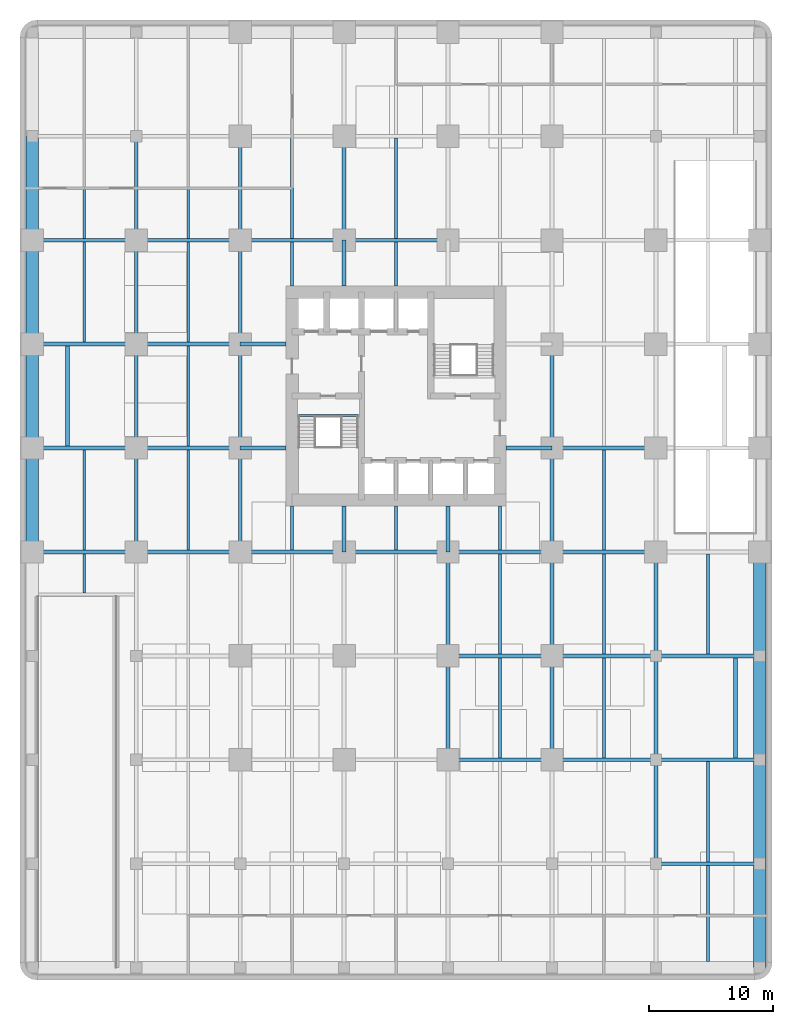
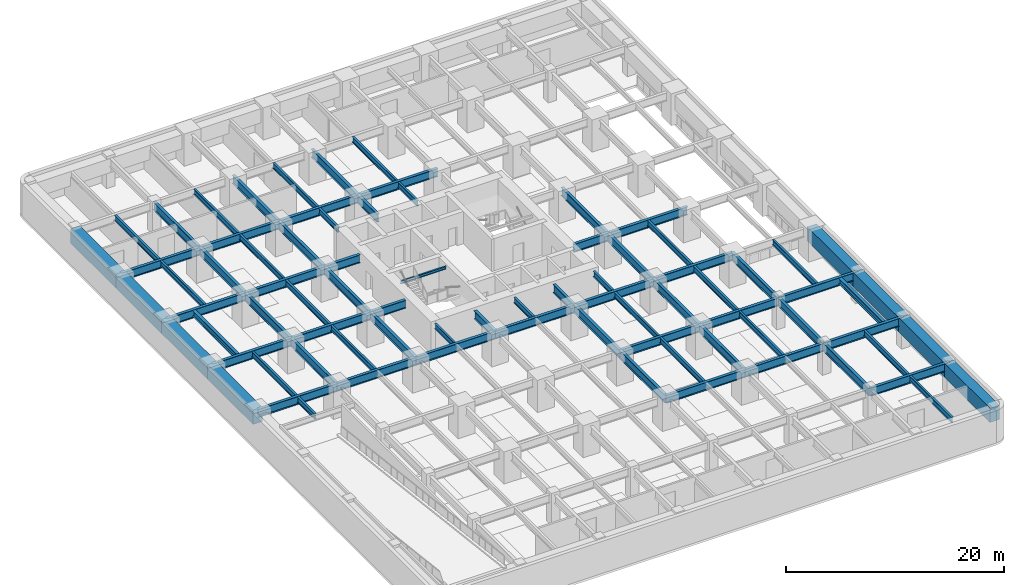
# One storey, part 2 of 9: 80 beams.
"""IFC4 building model written with IfcOpenShell, lengths in metres."""

from ifc_helpers import new_model, si_unit, direction, frame, origin, origin_2d, place, context, subcontext, project, spatial, rectangle, i_section, extrude, material, material_profile, profile_set, type_object, element, save


model = new_model("IFC4")

# Units and contexts
model_context = context("Model", 3, precision=1e-05, world=origin(), true_north=direction((0.0, 1.0)))
body_context = subcontext(model_context, "Body", "Model", "MODEL_VIEW")
ifc_project = project(units=[si_unit("LENGTHUNIT", "METRE"), si_unit("AREAUNIT", "SQUARE_METRE"), si_unit("VOLUMEUNIT", "CUBIC_METRE"), si_unit("PLANEANGLEUNIT", "RADIAN"), si_unit("MASSUNIT", "GRAM", prefix="KILO")], contexts=[model_context])

# Site, building, storey
site_placement = place(None, origin())
site = spatial("IfcSite", under=ifc_project, at=site_placement, CompositionType="ELEMENT")
building_placement = place(site_placement, origin())
building = spatial("IfcBuilding", under=site, at=building_placement, Name="Torre Alcanfor", CompositionType="ELEMENT")
storey_placement = place(building_placement, frame((0.0, 0.0, -3.60009765625)))
storey = spatial("IfcBuildingStorey", under=building, at=storey_placement, Name="B1", CompositionType="ELEMENT", Elevation=-3.60009765625)

# Beams
ifc_material_1 = material(Name="Steel ASTM A992 Grade 50", Category="steel")
ifc_material_profile_1 = material_profile(ifc_material_1, i_section(OverallWidth=0.3046875, OverallDepth=0.911865234375, WebThickness=0.015869140625, FlangeThickness=0.02392578125, at=origin_2d()), Name="W36x150")
ifc_profile_set_1 = profile_set([ifc_material_profile_1], Name="Steel ASTM A992 Grade 50")
beam_type_1 = type_object("IfcBeamType", Name="Girder W36x150", PredefinedType="BEAM", material=ifc_profile_set_1)
beam_1_placement = place(storey_placement, frame((50.39990234375, -8.39990234375, 2.84423828125), z_axis=(1.0, 0.0, 0.0), x_axis=(0.0, 1.0, 0.0)))
element("IfcBeam", 1, at=beam_1_placement, inside=storey, type_object=beam_type_1, Name="Beam 7B-8B under L00", PredefinedType="BEAM", context=body_context, shape_type="SweptSolid", body=[
    extrude(i_section(OverallWidth=0.3046875, OverallDepth=0.911865234375, WebThickness=0.015869140625, FlangeThickness=0.02392578125, at=origin_2d()), origin(), (0.0, 0.0, 1.0), 8.400146484375),
])
for number, where, z_axis, x_axis, name in (
    (2, (33.60009765625, 0.0, 2.84423828125), (1.0, 0.0, 0.0), (0.0, 1.0, 0.0), "Beam 5C-6C under L00"),
    (3, (42.0, 0.0, 2.84423828125), (1.0, 0.0, 0.0), (0.0, 1.0, 0.0), "Beam 6C-7C under L00"),
):
    element("IfcBeam", number, at=place(storey_placement, frame(where, z_axis=z_axis, x_axis=x_axis)), inside=storey, type_object=beam_type_1, Name=name, PredefinedType="BEAM", context=body_context, shape_type="SweptSolid", body=[
        extrude(i_section(OverallWidth=0.3046875, OverallDepth=0.911865234375, WebThickness=0.015869140625, FlangeThickness=0.02392578125, at=origin_2d()), origin(), (0.0, 0.0, 1.0), 8.39990234375),
    ])
beam_2_placement = place(storey_placement, frame((50.39990234375, 0.0, 2.84423828125), z_axis=(1.0, 0.0, 0.0), x_axis=(0.0, 1.0, 0.0)))
element("IfcBeam", 4, at=beam_2_placement, inside=storey, type_object=beam_type_1, Name="Beam 7C-8C under L00", PredefinedType="BEAM", context=body_context, shape_type="SweptSolid", body=[
    extrude(i_section(OverallWidth=0.3046875, OverallDepth=0.911865234375, WebThickness=0.015869140625, FlangeThickness=0.02392578125, at=origin_2d()), origin(), (0.0, 0.0, 1.0), 8.400146484375),
])
for number, where, z_axis, x_axis, name in (
    (5, (33.60009765625, 8.39990234375, 2.84423828125), (1.0, 0.0, 0.0), (0.0, 1.0, 0.0), "Beam 5D-6D under L00"),
    (6, (42.0, 8.39990234375, 2.84423828125), (1.0, 0.0, 0.0), (0.0, 1.0, 0.0), "Beam 6D-7D under L00"),
):
    element("IfcBeam", number, at=place(storey_placement, frame(where, z_axis=z_axis, x_axis=x_axis)), inside=storey, type_object=beam_type_1, Name=name, PredefinedType="BEAM", context=body_context, shape_type="SweptSolid", body=[
        extrude(i_section(OverallWidth=0.3046875, OverallDepth=0.911865234375, WebThickness=0.015869140625, FlangeThickness=0.02392578125, at=origin_2d()), origin(), (0.0, 0.0, 1.0), 8.39990234375),
    ])
beam_3_placement = place(storey_placement, frame((50.39990234375, 8.39990234375, 2.84423828125), z_axis=(1.0, 0.0, 0.0), x_axis=(0.0, 1.0, 0.0)))
element("IfcBeam", 7, at=beam_3_placement, inside=storey, type_object=beam_type_1, Name="Beam 7D-8D under L00", PredefinedType="BEAM", context=body_context, shape_type="SweptSolid", body=[
    extrude(i_section(OverallWidth=0.3046875, OverallDepth=0.911865234375, WebThickness=0.015869140625, FlangeThickness=0.02392578125, at=origin_2d()), origin(), (0.0, 0.0, 1.0), 8.400146484375),
])
beam_4_placement = place(storey_placement, frame((0.0, 16.800048828125, 2.84423828125), z_axis=(1.0, 0.0, 0.0), x_axis=(0.0, 1.0, 0.0)))
element("IfcBeam", 8, at=beam_4_placement, inside=storey, type_object=beam_type_1, Name="Beam 1E-2E under L00", PredefinedType="BEAM", context=body_context, shape_type="SweptSolid", body=[
    extrude(i_section(OverallWidth=0.3046875, OverallDepth=0.911865234375, WebThickness=0.015869140625, FlangeThickness=0.02392578125, at=origin_2d()), origin(), (0.0, 0.0, 1.0), 8.39990234375),
])
beam_5_placement = place(storey_placement, frame((8.39990234375, 16.800048828125, 2.84423828125), z_axis=(1.0, 0.0, 0.0), x_axis=(0.0, 1.0, 0.0)))
element("IfcBeam", 9, at=beam_5_placement, inside=storey, type_object=beam_type_1, Name="Beam 2E-3E under L00", PredefinedType="BEAM", context=body_context, shape_type="SweptSolid", body=[
    extrude(i_section(OverallWidth=0.3046875, OverallDepth=0.911865234375, WebThickness=0.015869140625, FlangeThickness=0.02392578125, at=origin_2d()), origin(), (0.0, 0.0, 1.0), 8.400146484375),
])
beam_6_placement = place(storey_placement, frame((16.800048828125, 16.800048828125, 2.84423828125), z_axis=(1.0, 0.0, 0.0), x_axis=(0.0, 1.0, 0.0)))
element("IfcBeam", 10, at=beam_6_placement, inside=storey, type_object=beam_type_1, Name="Beam 3E-4E under L00", PredefinedType="BEAM", context=body_context, shape_type="SweptSolid", body=[
    extrude(i_section(OverallWidth=0.3046875, OverallDepth=0.911865234375, WebThickness=0.015869140625, FlangeThickness=0.02392578125, at=origin_2d()), origin(), (0.0, 0.0, 1.0), 8.39990234375),
])
beam_7_placement = place(storey_placement, frame((25.199951171875, 16.800048828125, 2.84423828125), z_axis=(1.0, 0.0, 0.0), x_axis=(0.0, 1.0, 0.0)))
element("IfcBeam", 11, at=beam_7_placement, inside=storey, type_object=beam_type_1, Name="Beam 4E-5E under L00", PredefinedType="BEAM", context=body_context, shape_type="SweptSolid", body=[
    extrude(i_section(OverallWidth=0.3046875, OverallDepth=0.911865234375, WebThickness=0.015869140625, FlangeThickness=0.02392578125, at=origin_2d()), origin(), (0.0, 0.0, 1.0), 8.400146484375),
])
for number, where, z_axis, x_axis, name in (
    (12, (33.60009765625, 16.800048828125, 2.84423828125), (1.0, 0.0, 0.0), (0.0, 1.0, 0.0), "Beam 5E-6E under L00"),
    (13, (42.0, 16.800048828125, 2.84423828125), (1.0, 0.0, 0.0), (0.0, 1.0, 0.0), "Beam 6E-7E under L00"),
    (14, (0.0, 25.199951171875, 2.84423828125), (1.0, 0.0, 0.0), (0.0, 1.0, 0.0), "Beam 1F-2F under L00"),
):
    element("IfcBeam", number, at=place(storey_placement, frame(where, z_axis=z_axis, x_axis=x_axis)), inside=storey, type_object=beam_type_1, Name=name, PredefinedType="BEAM", context=body_context, shape_type="SweptSolid", body=[
        extrude(i_section(OverallWidth=0.3046875, OverallDepth=0.911865234375, WebThickness=0.015869140625, FlangeThickness=0.02392578125, at=origin_2d()), origin(), (0.0, 0.0, 1.0), 8.39990234375),
    ])
beam_8_placement = place(storey_placement, frame((8.39990234375, 25.199951171875, 2.84423828125), z_axis=(1.0, 0.0, 0.0), x_axis=(0.0, 1.0, 0.0)))
element("IfcBeam", 15, at=beam_8_placement, inside=storey, type_object=beam_type_1, Name="Beam 2F-3F under L00", PredefinedType="BEAM", context=body_context, shape_type="SweptSolid", body=[
    extrude(i_section(OverallWidth=0.3046875, OverallDepth=0.911865234375, WebThickness=0.015869140625, FlangeThickness=0.02392578125, at=origin_2d()), origin(), (0.0, 0.0, 1.0), 8.400146484375),
])
for number, where, z_axis, x_axis, name in (
    (16, (42.0, 25.199951171875, 2.84423828125), (1.0, 0.0, 0.0), (0.0, 1.0, 0.0), "Beam 6F-7F under L00"),
    (17, (0.0, 33.60009765625, 2.84423828125), (1.0, 0.0, 0.0), (0.0, 1.0, 0.0), "Beam 1G-2G under L00"),
):
    element("IfcBeam", number, at=place(storey_placement, frame(where, z_axis=z_axis, x_axis=x_axis)), inside=storey, type_object=beam_type_1, Name=name, PredefinedType="BEAM", context=body_context, shape_type="SweptSolid", body=[
        extrude(i_section(OverallWidth=0.3046875, OverallDepth=0.911865234375, WebThickness=0.015869140625, FlangeThickness=0.02392578125, at=origin_2d()), origin(), (0.0, 0.0, 1.0), 8.39990234375),
    ])
beam_9_placement = place(storey_placement, frame((8.39990234375, 33.60009765625, 2.84423828125), z_axis=(1.0, 0.0, 0.0), x_axis=(0.0, 1.0, 0.0)))
element("IfcBeam", 18, at=beam_9_placement, inside=storey, type_object=beam_type_1, Name="Beam 2G-3G under L00", PredefinedType="BEAM", context=body_context, shape_type="SweptSolid", body=[
    extrude(i_section(OverallWidth=0.3046875, OverallDepth=0.911865234375, WebThickness=0.015869140625, FlangeThickness=0.02392578125, at=origin_2d()), origin(), (0.0, 0.0, 1.0), 8.400146484375),
])
beam_10_placement = place(storey_placement, frame((0.0, 42.0, 2.84423828125), z_axis=(1.0, 0.0, 0.0), x_axis=(0.0, 1.0, 0.0)))
element("IfcBeam", 19, at=beam_10_placement, inside=storey, type_object=beam_type_1, Name="Beam 1H-2H under L00", PredefinedType="BEAM", context=body_context, shape_type="SweptSolid", body=[
    extrude(i_section(OverallWidth=0.3046875, OverallDepth=0.911865234375, WebThickness=0.015869140625, FlangeThickness=0.02392578125, at=origin_2d()), origin(), (0.0, 0.0, 1.0), 8.39990234375),
])
beam_11_placement = place(storey_placement, frame((8.39990234375, 42.0, 2.84423828125), z_axis=(1.0, 0.0, 0.0), x_axis=(0.0, 1.0, 0.0)))
element("IfcBeam", 20, at=beam_11_placement, inside=storey, type_object=beam_type_1, Name="Beam 2H-3H under L00", PredefinedType="BEAM", context=body_context, shape_type="SweptSolid", body=[
    extrude(i_section(OverallWidth=0.3046875, OverallDepth=0.911865234375, WebThickness=0.015869140625, FlangeThickness=0.02392578125, at=origin_2d()), origin(), (0.0, 0.0, 1.0), 8.400146484375),
])
beam_12_placement = place(storey_placement, frame((16.800048828125, 42.0, 2.84423828125), z_axis=(1.0, 0.0, 0.0), x_axis=(0.0, 1.0, 0.0)))
element("IfcBeam", 21, at=beam_12_placement, inside=storey, type_object=beam_type_1, Name="Beam 3H-4H under L00", PredefinedType="BEAM", context=body_context, shape_type="SweptSolid", body=[
    extrude(i_section(OverallWidth=0.3046875, OverallDepth=0.911865234375, WebThickness=0.015869140625, FlangeThickness=0.02392578125, at=origin_2d()), origin(), (0.0, 0.0, 1.0), 8.39990234375),
])
beam_13_placement = place(storey_placement, frame((25.199951171875, 42.0, 2.84423828125), z_axis=(1.0, 0.0, 0.0), x_axis=(0.0, 1.0, 0.0)))
element("IfcBeam", 22, at=beam_13_placement, inside=storey, type_object=beam_type_1, Name="Beam 4H-5H under L00", PredefinedType="BEAM", context=body_context, shape_type="SweptSolid", body=[
    extrude(i_section(OverallWidth=0.3046875, OverallDepth=0.911865234375, WebThickness=0.015869140625, FlangeThickness=0.02392578125, at=origin_2d()), origin(), (0.0, 0.0, 1.0), 8.400146484375),
])
beam_14_placement = place(storey_placement, frame((8.39990234375, 16.800048828125, 2.84423828125), z_axis=(0.0, 1.0, 0.0), x_axis=(-1.0, 0.0, 0.0)))
element("IfcBeam", 23, at=beam_14_placement, inside=storey, type_object=beam_type_1, Name="Beam 2E-2F under L00", PredefinedType="BEAM", context=body_context, shape_type="SweptSolid", body=[
    extrude(i_section(OverallWidth=0.3046875, OverallDepth=0.911865234375, WebThickness=0.015869140625, FlangeThickness=0.02392578125, at=origin_2d()), origin(), (0.0, 0.0, 1.0), 8.39990234375),
])
beam_15_placement = place(storey_placement, frame((8.39990234375, 25.199951171875, 2.84423828125), z_axis=(0.0, 1.0, 0.0), x_axis=(-1.0, 0.0, 0.0)))
element("IfcBeam", 24, at=beam_15_placement, inside=storey, type_object=beam_type_1, Name="Beam 2F-2G under L00", PredefinedType="BEAM", context=body_context, shape_type="SweptSolid", body=[
    extrude(i_section(OverallWidth=0.3046875, OverallDepth=0.911865234375, WebThickness=0.015869140625, FlangeThickness=0.02392578125, at=origin_2d()), origin(), (0.0, 0.0, 1.0), 8.400146484375),
])
for number, where, z_axis, x_axis, name in (
    (25, (8.39990234375, 33.60009765625, 2.84423828125), (0.0, 1.0, 0.0), (-1.0, 0.0, 0.0), "Beam 2G-2H under L00"),
    (26, (8.39990234375, 42.0, 2.84423828125), (0.0, 1.0, 0.0), (-1.0, 0.0, 0.0), "Beam 2H-2J under L00"),
    (27, (16.800048828125, 16.800048828125, 2.84423828125), (0.0, 1.0, 0.0), (-1.0, 0.0, 0.0), "Beam 3E-3F under L00"),
):
    element("IfcBeam", number, at=place(storey_placement, frame(where, z_axis=z_axis, x_axis=x_axis)), inside=storey, type_object=beam_type_1, Name=name, PredefinedType="BEAM", context=body_context, shape_type="SweptSolid", body=[
        extrude(i_section(OverallWidth=0.3046875, OverallDepth=0.911865234375, WebThickness=0.015869140625, FlangeThickness=0.02392578125, at=origin_2d()), origin(), (0.0, 0.0, 1.0), 8.39990234375),
    ])
beam_16_placement = place(storey_placement, frame((16.800048828125, 25.199951171875, 2.84423828125), z_axis=(0.0, 1.0, 0.0), x_axis=(-1.0, 0.0, 0.0)))
element("IfcBeam", 28, at=beam_16_placement, inside=storey, type_object=beam_type_1, Name="Beam 3F-3G under L00", PredefinedType="BEAM", context=body_context, shape_type="SweptSolid", body=[
    extrude(i_section(OverallWidth=0.3046875, OverallDepth=0.911865234375, WebThickness=0.015869140625, FlangeThickness=0.02392578125, at=origin_2d()), origin(), (0.0, 0.0, 1.0), 8.400146484375),
])
for number, where, z_axis, x_axis, name in (
    (29, (16.800048828125, 33.60009765625, 2.84423828125), (0.0, 1.0, 0.0), (-1.0, 0.0, 0.0), "Beam 3G-3H under L00"),
    (30, (16.800048828125, 42.0, 2.84423828125), (0.0, 1.0, 0.0), (-1.0, 0.0, 0.0), "Beam 3H-3J under L00"),
    (31, (25.199951171875, 42.0, 2.84423828125), (0.0, 1.0, 0.0), (-1.0, 0.0, 0.0), "Beam 4H-4J under L00"),
    (32, (33.60009765625, 0.0, 2.84423828125), (0.0, 1.0, 0.0), (-1.0, 0.0, 0.0), "Beam 5C-5D under L00"),
):
    element("IfcBeam", number, at=place(storey_placement, frame(where, z_axis=z_axis, x_axis=x_axis)), inside=storey, type_object=beam_type_1, Name=name, PredefinedType="BEAM", context=body_context, shape_type="SweptSolid", body=[
        extrude(i_section(OverallWidth=0.3046875, OverallDepth=0.911865234375, WebThickness=0.015869140625, FlangeThickness=0.02392578125, at=origin_2d()), origin(), (0.0, 0.0, 1.0), 8.39990234375),
    ])
beam_17_placement = place(storey_placement, frame((33.60009765625, 8.39990234375, 2.84423828125), z_axis=(0.0, 1.0, 0.0), x_axis=(-1.0, 0.0, 0.0)))
element("IfcBeam", 33, at=beam_17_placement, inside=storey, type_object=beam_type_1, Name="Beam 5D-5E under L00", PredefinedType="BEAM", context=body_context, shape_type="SweptSolid", body=[
    extrude(i_section(OverallWidth=0.3046875, OverallDepth=0.911865234375, WebThickness=0.015869140625, FlangeThickness=0.02392578125, at=origin_2d()), origin(), (0.0, 0.0, 1.0), 8.400146484375),
])
beam_18_placement = place(storey_placement, frame((42.0, 0.0, 2.84423828125), z_axis=(0.0, 1.0, 0.0), x_axis=(-1.0, 0.0, 0.0)))
element("IfcBeam", 34, at=beam_18_placement, inside=storey, type_object=beam_type_1, Name="Beam 6C-6D under L00", PredefinedType="BEAM", context=body_context, shape_type="SweptSolid", body=[
    extrude(i_section(OverallWidth=0.3046875, OverallDepth=0.911865234375, WebThickness=0.015869140625, FlangeThickness=0.02392578125, at=origin_2d()), origin(), (0.0, 0.0, 1.0), 8.39990234375),
])
beam_19_placement = place(storey_placement, frame((42.0, 8.39990234375, 2.84423828125), z_axis=(0.0, 1.0, 0.0), x_axis=(-1.0, 0.0, 0.0)))
element("IfcBeam", 35, at=beam_19_placement, inside=storey, type_object=beam_type_1, Name="Beam 6D-6E under L00", PredefinedType="BEAM", context=body_context, shape_type="SweptSolid", body=[
    extrude(i_section(OverallWidth=0.3046875, OverallDepth=0.911865234375, WebThickness=0.015869140625, FlangeThickness=0.02392578125, at=origin_2d()), origin(), (0.0, 0.0, 1.0), 8.400146484375),
])
beam_20_placement = place(storey_placement, frame((42.0, 16.800048828125, 2.84423828125), z_axis=(0.0, 1.0, 0.0), x_axis=(-1.0, 0.0, 0.0)))
element("IfcBeam", 36, at=beam_20_placement, inside=storey, type_object=beam_type_1, Name="Beam 6E-6F under L00", PredefinedType="BEAM", context=body_context, shape_type="SweptSolid", body=[
    extrude(i_section(OverallWidth=0.3046875, OverallDepth=0.911865234375, WebThickness=0.015869140625, FlangeThickness=0.02392578125, at=origin_2d()), origin(), (0.0, 0.0, 1.0), 8.39990234375),
])
beam_21_placement = place(storey_placement, frame((42.0, 25.199951171875, 2.84423828125), z_axis=(0.0, 1.0, 0.0), x_axis=(-1.0, 0.0, 0.0)))
element("IfcBeam", 37, at=beam_21_placement, inside=storey, type_object=beam_type_1, Name="Beam 6F-6G under L00", PredefinedType="BEAM", context=body_context, shape_type="SweptSolid", body=[
    extrude(i_section(OverallWidth=0.3046875, OverallDepth=0.911865234375, WebThickness=0.015869140625, FlangeThickness=0.02392578125, at=origin_2d()), origin(), (0.0, 0.0, 1.0), 8.400146484375),
])
for number, where, z_axis, x_axis, name in (
    (38, (50.39990234375, -8.39990234375, 2.84423828125), (0.0, 1.0, 0.0), (-1.0, 0.0, 0.0), "Beam 7B-7C under L00"),
    (39, (50.39990234375, 0.0, 2.84423828125), (0.0, 1.0, 0.0), (-1.0, 0.0, 0.0), "Beam 7C-7D under L00"),
):
    element("IfcBeam", number, at=place(storey_placement, frame(where, z_axis=z_axis, x_axis=x_axis)), inside=storey, type_object=beam_type_1, Name=name, PredefinedType="BEAM", context=body_context, shape_type="SweptSolid", body=[
        extrude(i_section(OverallWidth=0.3046875, OverallDepth=0.911865234375, WebThickness=0.015869140625, FlangeThickness=0.02392578125, at=origin_2d()), origin(), (0.0, 0.0, 1.0), 8.39990234375),
    ])
beam_22_placement = place(storey_placement, frame((50.39990234375, 8.39990234375, 2.84423828125), z_axis=(0.0, 1.0, 0.0), x_axis=(-1.0, 0.0, 0.0)))
element("IfcBeam", 40, at=beam_22_placement, inside=storey, type_object=beam_type_1, Name="Beam 7D-7E under L00", PredefinedType="BEAM", context=body_context, shape_type="SweptSolid", body=[
    extrude(i_section(OverallWidth=0.3046875, OverallDepth=0.911865234375, WebThickness=0.015869140625, FlangeThickness=0.02392578125, at=origin_2d()), origin(), (0.0, 0.0, 1.0), 8.400146484375),
])
ifc_material_2 = material(Name="Steel ASTM A992 Grade 50", Category="steel")
ifc_material_profile_2 = material_profile(ifc_material_2, i_section(OverallWidth=0.3046875, OverallDepth=0.911865234375, WebThickness=0.015869140625, FlangeThickness=0.02392578125, at=origin_2d()), Name="W36x150")
ifc_profile_set_2 = profile_set([ifc_material_profile_2], Name="Steel ASTM A992 Grade 50")
beam_type_2 = type_object("IfcBeamType", Name="Girder, part bay W36x150", PredefinedType="BEAM", material=ifc_profile_set_2)
for number, where, z_axis, x_axis, name in (
    (41, (25.199951171875, 16.800048828125, 2.84423828125), (0.0, 1.0, 0.0), (-1.0, 0.0, 0.0), "Beam 4E-420_5 under L00"),
    (42, (25.199951171875, 42.0, 2.84423828125), (0.0, -1.0, 0.0), (1.0, 0.0, 0.0), "Beam 4H-438_3 under L00"),
    (43, (33.60009765625, 16.800048828125, 2.84423828125), (0.0, 1.0, 0.0), (-1.0, 0.0, 0.0), "Beam 5E-520_5 under L00"),
    (44, (16.800048828125, 25.199951171875, 2.84423828125), (1.0, 0.0, 0.0), (0.0, 1.0, 0.0), "Beam 3F-20_5F under L00"),
    (45, (42.0, 25.199951171875, 2.84423828125), (-1.0, 0.0, 0.0), (0.0, -1.0, 0.0), "Beam 6F-38_3F under L00"),
    (46, (16.800048828125, 33.60009765625, 2.84423828125), (1.0, 0.0, 0.0), (0.0, 1.0, 0.0), "Beam 3G-20_5G under L00"),
):
    element("IfcBeam", number, at=place(storey_placement, frame(where, z_axis=z_axis, x_axis=x_axis)), inside=storey, type_object=beam_type_2, Name=name, PredefinedType="BEAM", context=body_context, shape_type="SweptSolid", body=[
        extrude(i_section(OverallWidth=0.3046875, OverallDepth=0.911865234375, WebThickness=0.015869140625, FlangeThickness=0.02392578125, at=origin_2d()), origin(), (0.0, 0.0, 1.0), 3.699951171875),
    ])
ifc_material_3 = material(Name="Concrete f'c 70 MPa", Category="concrete")
ifc_material_profile_3 = material_profile(ifc_material_3, rectangle(XDim=1.0, YDim=1.60009765625, at=origin_2d()), Name="1000x1600")
ifc_profile_set_3 = profile_set([ifc_material_profile_3], Name="Concrete f'c 70 MPa")
beam_type_3 = type_object("IfcBeamType", Name="RC perimeter beam 1000x1600", PredefinedType="BEAM", material=ifc_profile_set_3)
beam_23_placement = place(storey_placement, frame((0.0, 16.800048828125, 2.5), z_axis=(0.0, 1.0, 0.0), x_axis=(-1.0, 0.0, 0.0)))
element("IfcBeam", 47, at=beam_23_placement, inside=storey, type_object=beam_type_3, Name="Beam 1E-1F under L00", PredefinedType="BEAM", context=body_context, shape_type="SweptSolid", body=[
    extrude(rectangle(XDim=1.0, YDim=1.60009765625, at=origin_2d()), origin(), (0.0, 0.0, 1.0), 8.39990234375),
])
beam_24_placement = place(storey_placement, frame((0.0, 25.199951171875, 2.5), z_axis=(0.0, 1.0, 0.0), x_axis=(-1.0, 0.0, 0.0)))
element("IfcBeam", 48, at=beam_24_placement, inside=storey, type_object=beam_type_3, Name="Beam 1F-1G under L00", PredefinedType="BEAM", context=body_context, shape_type="SweptSolid", body=[
    extrude(rectangle(XDim=1.0, YDim=1.60009765625, at=origin_2d()), origin(), (0.0, 0.0, 1.0), 8.400146484375),
])
for number, where, z_axis, x_axis, name in (
    (49, (0.0, 33.60009765625, 2.5), (0.0, 1.0, 0.0), (-1.0, 0.0, 0.0), "Beam 1G-1H under L00"),
    (50, (0.0, 42.0, 2.5), (0.0, 1.0, 0.0), (-1.0, 0.0, 0.0), "Beam 1H-1J under L00"),
):
    element("IfcBeam", number, at=place(storey_placement, frame(where, z_axis=z_axis, x_axis=x_axis)), inside=storey, type_object=beam_type_3, Name=name, PredefinedType="BEAM", context=body_context, shape_type="SweptSolid", body=[
        extrude(rectangle(XDim=1.0, YDim=1.60009765625, at=origin_2d()), origin(), (0.0, 0.0, 1.0), 8.39990234375),
    ])
beam_25_placement = place(storey_placement, frame((58.800048828125, -16.800048828125, 2.5), z_axis=(0.0, 1.0, 0.0), x_axis=(-1.0, 0.0, 0.0)))
element("IfcBeam", 51, at=beam_25_placement, inside=storey, type_object=beam_type_3, Name="Beam 8A-8B under L00", PredefinedType="BEAM", context=body_context, shape_type="SweptSolid", body=[
    extrude(rectangle(XDim=1.0, YDim=1.60009765625, at=origin_2d()), origin(), (0.0, 0.0, 1.0), 8.400146484375),
])
for number, where, z_axis, x_axis, name in (
    (52, (58.800048828125, -8.39990234375, 2.5), (0.0, 1.0, 0.0), (-1.0, 0.0, 0.0), "Beam 8B-8C under L00"),
    (53, (58.800048828125, 0.0, 2.5), (0.0, 1.0, 0.0), (-1.0, 0.0, 0.0), "Beam 8C-8D under L00"),
):
    element("IfcBeam", number, at=place(storey_placement, frame(where, z_axis=z_axis, x_axis=x_axis)), inside=storey, type_object=beam_type_3, Name=name, PredefinedType="BEAM", context=body_context, shape_type="SweptSolid", body=[
        extrude(rectangle(XDim=1.0, YDim=1.60009765625, at=origin_2d()), origin(), (0.0, 0.0, 1.0), 8.39990234375),
    ])
beam_26_placement = place(storey_placement, frame((58.800048828125, 8.39990234375, 2.5), z_axis=(0.0, 1.0, 0.0), x_axis=(-1.0, 0.0, 0.0)))
element("IfcBeam", 54, at=beam_26_placement, inside=storey, type_object=beam_type_3, Name="Beam 8D-8E under L00", PredefinedType="BEAM", context=body_context, shape_type="SweptSolid", body=[
    extrude(rectangle(XDim=1.0, YDim=1.60009765625, at=origin_2d()), origin(), (0.0, 0.0, 1.0), 8.400146484375),
])
ifc_material_4 = material(Name="Steel ASTM A992 Grade 50", Category="steel")
ifc_material_profile_4 = material_profile(ifc_material_4, i_section(OverallWidth=0.22900390625, OverallDepth=0.612060546875, WebThickness=0.011962890625, FlangeThickness=0.01953125, at=origin_2d()), Name="W24x84")
ifc_profile_set_4 = profile_set([ifc_material_profile_4], Name="Steel ASTM A992 Grade 50")
beam_type_4 = type_object("IfcBeamType", Name="Secondary beam W24x84", PredefinedType="BEAM", material=ifc_profile_set_4)
beam_27_placement = place(storey_placement, frame((4.199951171875, 16.951904296875, 2.994140625), z_axis=(0.0, 1.0, 0.0), x_axis=(-1.0, 0.0, 0.0)))
element("IfcBeam", 55, at=beam_27_placement, inside=storey, type_object=beam_type_4, Name="Beam 4_2E-4_2F under L00", PredefinedType="BEAM", context=body_context, shape_type="SweptSolid", body=[
    extrude(i_section(OverallWidth=0.22900390625, OverallDepth=0.612060546875, WebThickness=0.011962890625, FlangeThickness=0.01953125, at=origin_2d()), origin(), (0.0, 0.0, 1.0), 8.09619140625),
])
for number, where, z_axis, x_axis, name in (
    (56, (4.199951171875, 33.751953125, 2.994140625), (0.0, 1.0, 0.0), (-1.0, 0.0, 0.0), "Beam 4_2G-4_2H under L00"),
    (57, (4.199951171875, 42.152099609375, 2.994140625), (0.0, 1.0, 0.0), (-1.0, 0.0, 0.0), "Beam 4_2H-4_2J under L00"),
):
    element("IfcBeam", number, at=place(storey_placement, frame(where, z_axis=z_axis, x_axis=x_axis)), inside=storey, type_object=beam_type_4, Name=name, PredefinedType="BEAM", context=body_context, shape_type="SweptSolid", body=[
        extrude(i_section(OverallWidth=0.22900390625, OverallDepth=0.612060546875, WebThickness=0.011962890625, FlangeThickness=0.01953125, at=origin_2d()), origin(), (0.0, 0.0, 1.0), 8.095947265625),
    ])
beam_28_placement = place(storey_placement, frame((12.60009765625, 16.951904296875, 2.994140625), z_axis=(0.0, 1.0, 0.0), x_axis=(-1.0, 0.0, 0.0)))
element("IfcBeam", 58, at=beam_28_placement, inside=storey, type_object=beam_type_4, Name="Beam 12_6E-12_6F under L00", PredefinedType="BEAM", context=body_context, shape_type="SweptSolid", body=[
    extrude(i_section(OverallWidth=0.22900390625, OverallDepth=0.612060546875, WebThickness=0.011962890625, FlangeThickness=0.01953125, at=origin_2d()), origin(), (0.0, 0.0, 1.0), 8.09619140625),
])
for number, where, z_axis, x_axis, name in (
    (59, (12.60009765625, 25.35205078125, 2.994140625), (0.0, 1.0, 0.0), (-1.0, 0.0, 0.0), "Beam 12_6F-12_6G under L00"),
    (60, (12.60009765625, 33.751953125, 2.994140625), (0.0, 1.0, 0.0), (-1.0, 0.0, 0.0), "Beam 12_6G-12_6H under L00"),
    (61, (12.60009765625, 42.152099609375, 2.994140625), (0.0, 1.0, 0.0), (-1.0, 0.0, 0.0), "Beam 12_6H-12_6J under L00"),
    (62, (21.0, 42.152099609375, 2.994140625), (0.0, 1.0, 0.0), (-1.0, 0.0, 0.0), "Beam 21H-21J under L00"),
    (63, (29.39990234375, 42.152099609375, 2.994140625), (0.0, 1.0, 0.0), (-1.0, 0.0, 0.0), "Beam 29_4H-29_4J under L00"),
    (64, (37.800048828125, 0.152099609375, 2.994140625), (0.0, 1.0, 0.0), (-1.0, 0.0, 0.0), "Beam 37_8C-37_8D under L00"),
    (65, (37.800048828125, 8.552001953125, 2.994140625), (0.0, 1.0, 0.0), (-1.0, 0.0, 0.0), "Beam 37_8D-37_8E under L00"),
    (66, (46.199951171875, 0.152099609375, 2.994140625), (0.0, 1.0, 0.0), (-1.0, 0.0, 0.0), "Beam 46_2C-46_2D under L00"),
    (67, (46.199951171875, 8.552001953125, 2.994140625), (0.0, 1.0, 0.0), (-1.0, 0.0, 0.0), "Beam 46_2D-46_2E under L00"),
):
    element("IfcBeam", number, at=place(storey_placement, frame(where, z_axis=z_axis, x_axis=x_axis)), inside=storey, type_object=beam_type_4, Name=name, PredefinedType="BEAM", context=body_context, shape_type="SweptSolid", body=[
        extrude(i_section(OverallWidth=0.22900390625, OverallDepth=0.612060546875, WebThickness=0.011962890625, FlangeThickness=0.01953125, at=origin_2d()), origin(), (0.0, 0.0, 1.0), 8.095947265625),
    ])
beam_29_placement = place(storey_placement, frame((46.199951171875, 16.951904296875, 2.994140625), z_axis=(0.0, 1.0, 0.0), x_axis=(-1.0, 0.0, 0.0)))
element("IfcBeam", 68, at=beam_29_placement, inside=storey, type_object=beam_type_4, Name="Beam 46_2E-46_2F under L00", PredefinedType="BEAM", context=body_context, shape_type="SweptSolid", body=[
    extrude(i_section(OverallWidth=0.22900390625, OverallDepth=0.612060546875, WebThickness=0.011962890625, FlangeThickness=0.01953125, at=origin_2d()), origin(), (0.0, 0.0, 1.0), 8.09619140625),
])
beam_30_placement = place(storey_placement, frame((54.60009765625, -16.300048828125, 2.994140625), z_axis=(0.0, 1.0, 0.0), x_axis=(-1.0, 0.0, 0.0)))
element("IfcBeam", 69, at=beam_30_placement, inside=storey, type_object=beam_type_4, Name="Beam 54_6A-54_6B under L00", PredefinedType="BEAM", context=body_context, shape_type="SweptSolid", body=[
    extrude(i_section(OverallWidth=0.22900390625, OverallDepth=0.612060546875, WebThickness=0.011962890625, FlangeThickness=0.01953125, at=origin_2d()), origin(), (0.0, 0.0, 1.0), 7.748046875),
])
for number, where, z_axis, x_axis, name in (
    (70, (54.60009765625, -8.248046875, 2.994140625), (0.0, 1.0, 0.0), (-1.0, 0.0, 0.0), "Beam 54_6B-54_6C under L00"),
    (71, (54.60009765625, 8.552001953125, 2.994140625), (0.0, 1.0, 0.0), (-1.0, 0.0, 0.0), "Beam 54_6D-54_6E under L00"),
):
    element("IfcBeam", number, at=place(storey_placement, frame(where, z_axis=z_axis, x_axis=x_axis)), inside=storey, type_object=beam_type_4, Name=name, PredefinedType="BEAM", context=body_context, shape_type="SweptSolid", body=[
        extrude(i_section(OverallWidth=0.22900390625, OverallDepth=0.612060546875, WebThickness=0.011962890625, FlangeThickness=0.01953125, at=origin_2d()), origin(), (0.0, 0.0, 1.0), 8.095947265625),
    ])
ifc_material_5 = material(Name="Steel ASTM A992 Grade 50", Category="steel")
ifc_material_profile_5 = material_profile(ifc_material_5, i_section(OverallWidth=0.22900390625, OverallDepth=0.612060546875, WebThickness=0.011962890625, FlangeThickness=0.01953125, at=origin_2d()), Name="W24x84")
ifc_profile_set_5 = profile_set([ifc_material_profile_5], Name="Steel ASTM A992 Grade 50")
beam_type_5 = type_object("IfcBeamType", Name="Secondary beam, part bay W24x84", PredefinedType="BEAM", material=ifc_profile_set_5)
beam_31_placement = place(storey_placement, frame((4.199951171875, 13.464111328125, 2.994140625), z_axis=(0.0, 1.0, 0.0), x_axis=(-1.0, 0.0, 0.0)))
element("IfcBeam", 72, at=beam_31_placement, inside=storey, type_object=beam_type_5, Name="Beam 4_213_35-4_2E under L00", PredefinedType="BEAM", context=body_context, shape_type="SweptSolid", body=[
    extrude(i_section(OverallWidth=0.22900390625, OverallDepth=0.612060546875, WebThickness=0.011962890625, FlangeThickness=0.01953125, at=origin_2d()), origin(), (0.0, 0.0, 1.0), 3.183837890625),
])
beam_32_placement = place(storey_placement, frame((21.0, 16.951904296875, 2.994140625), z_axis=(0.0, 1.0, 0.0), x_axis=(-1.0, 0.0, 0.0)))
element("IfcBeam", 73, at=beam_32_placement, inside=storey, type_object=beam_type_5, Name="Beam 21E-2120_5 under L00", PredefinedType="BEAM", context=body_context, shape_type="SweptSolid", body=[
    extrude(i_section(OverallWidth=0.22900390625, OverallDepth=0.612060546875, WebThickness=0.011962890625, FlangeThickness=0.01953125, at=origin_2d()), origin(), (0.0, 0.0, 1.0), 3.548095703125),
])
beam_33_placement = place(storey_placement, frame((21.0, 38.300048828125, 2.994140625), z_axis=(0.0, 1.0, 0.0), x_axis=(-1.0, 0.0, 0.0)))
element("IfcBeam", 74, at=beam_33_placement, inside=storey, type_object=beam_type_5, Name="Beam 2138_3-21H under L00", PredefinedType="BEAM", context=body_context, shape_type="SweptSolid", body=[
    extrude(i_section(OverallWidth=0.22900390625, OverallDepth=0.612060546875, WebThickness=0.011962890625, FlangeThickness=0.01953125, at=origin_2d()), origin(), (0.0, 0.0, 1.0), 3.5478515625),
])
beam_34_placement = place(storey_placement, frame((29.39990234375, 16.951904296875, 2.994140625), z_axis=(0.0, 1.0, 0.0), x_axis=(-1.0, 0.0, 0.0)))
element("IfcBeam", 75, at=beam_34_placement, inside=storey, type_object=beam_type_5, Name="Beam 29_4E-29_420_5 under L00", PredefinedType="BEAM", context=body_context, shape_type="SweptSolid", body=[
    extrude(i_section(OverallWidth=0.22900390625, OverallDepth=0.612060546875, WebThickness=0.011962890625, FlangeThickness=0.01953125, at=origin_2d()), origin(), (0.0, 0.0, 1.0), 3.548095703125),
])
beam_35_placement = place(storey_placement, frame((29.39990234375, 38.300048828125, 2.994140625), z_axis=(0.0, 1.0, 0.0), x_axis=(-1.0, 0.0, 0.0)))
element("IfcBeam", 76, at=beam_35_placement, inside=storey, type_object=beam_type_5, Name="Beam 29_438_3-29_4H under L00", PredefinedType="BEAM", context=body_context, shape_type="SweptSolid", body=[
    extrude(i_section(OverallWidth=0.22900390625, OverallDepth=0.612060546875, WebThickness=0.011962890625, FlangeThickness=0.01953125, at=origin_2d()), origin(), (0.0, 0.0, 1.0), 3.5478515625),
])
beam_36_placement = place(storey_placement, frame((37.800048828125, 16.951904296875, 2.994140625), z_axis=(0.0, 1.0, 0.0), x_axis=(-1.0, 0.0, 0.0)))
element("IfcBeam", 77, at=beam_36_placement, inside=storey, type_object=beam_type_5, Name="Beam 37_8E-37_820_5 under L00", PredefinedType="BEAM", context=body_context, shape_type="SweptSolid", body=[
    extrude(i_section(OverallWidth=0.22900390625, OverallDepth=0.612060546875, WebThickness=0.011962890625, FlangeThickness=0.01953125, at=origin_2d()), origin(), (0.0, 0.0, 1.0), 3.548095703125),
])
ifc_material_6 = material(Name="Steel ASTM A992 Grade 50", Category="steel")
ifc_material_profile_6 = material_profile(ifc_material_6, i_section(OverallWidth=0.164794921875, OverallDepth=0.309814453125, WebThickness=0.005859375, FlangeThickness=0.009765625, at=origin_2d()), Name="W12x26")
ifc_profile_set_6 = profile_set([ifc_material_profile_6], Name="Steel ASTM A992 Grade 50")
beam_type_6 = type_object("IfcBeamType", Name="Stair landing beam W12x26", PredefinedType="BEAM", material=ifc_profile_set_6)
beam_37_placement = place(storey_placement, frame((21.5, 27.83740234375, 3.2451171875), z_axis=(1.0, 0.0, 0.0), x_axis=(0.0, 1.0, 0.0)))
element("IfcBeam", 78, at=beam_37_placement, inside=storey, type_object=beam_type_6, Name="Landing trimmer S1 L00", PredefinedType="BEAM", context=body_context, shape_type="SweptSolid", body=[
    extrude(i_section(OverallWidth=0.164794921875, OverallDepth=0.309814453125, WebThickness=0.005859375, FlangeThickness=0.009765625, at=origin_2d()), origin(), (0.0, 0.0, 1.0), 4.85009765625),
])
ifc_material_7 = material(Name="Steel ASTM A992 Grade 50", Category="steel")
ifc_material_profile_7 = material_profile(ifc_material_7, i_section(OverallWidth=0.332763671875, OverallDepth=0.660400390625, WebThickness=0.0244140625, FlangeThickness=0.0439453125, at=origin_2d()), Name="W24x229")
ifc_profile_set_7 = profile_set([ifc_material_profile_7], Name="Steel ASTM A992 Grade 50")
beam_type_7 = type_object("IfcBeamType", Name="Stair spine transfer beam W24x229", PredefinedType="BEAM", material=ifc_profile_set_7)
for number, where, z_axis, x_axis, name in (
    (79, (2.830078125, 25.35205078125, 2.969970703125), (0.0, 1.0, 0.0), (-1.0, 0.0, 0.0), "Beam 2_83F-2_83G under L00"),
    (80, (56.85009765625, 0.152099609375, 2.969970703125), (0.0, 1.0, 0.0), (-1.0, 0.0, 0.0), "Beam 56_85C-56_85D under L00"),
):
    element("IfcBeam", number, at=place(storey_placement, frame(where, z_axis=z_axis, x_axis=x_axis)), inside=storey, type_object=beam_type_7, Name=name, PredefinedType="BEAM", context=body_context, shape_type="SweptSolid", body=[
        extrude(i_section(OverallWidth=0.332763671875, OverallDepth=0.660400390625, WebThickness=0.0244140625, FlangeThickness=0.0439453125, at=origin_2d()), origin(), (0.0, 0.0, 1.0), 8.095947265625),
    ])

save(model, "model.ifc")
